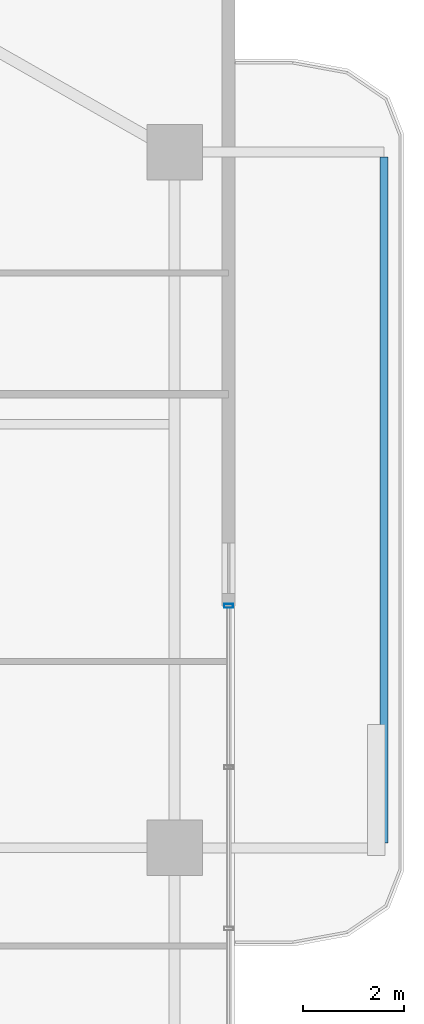
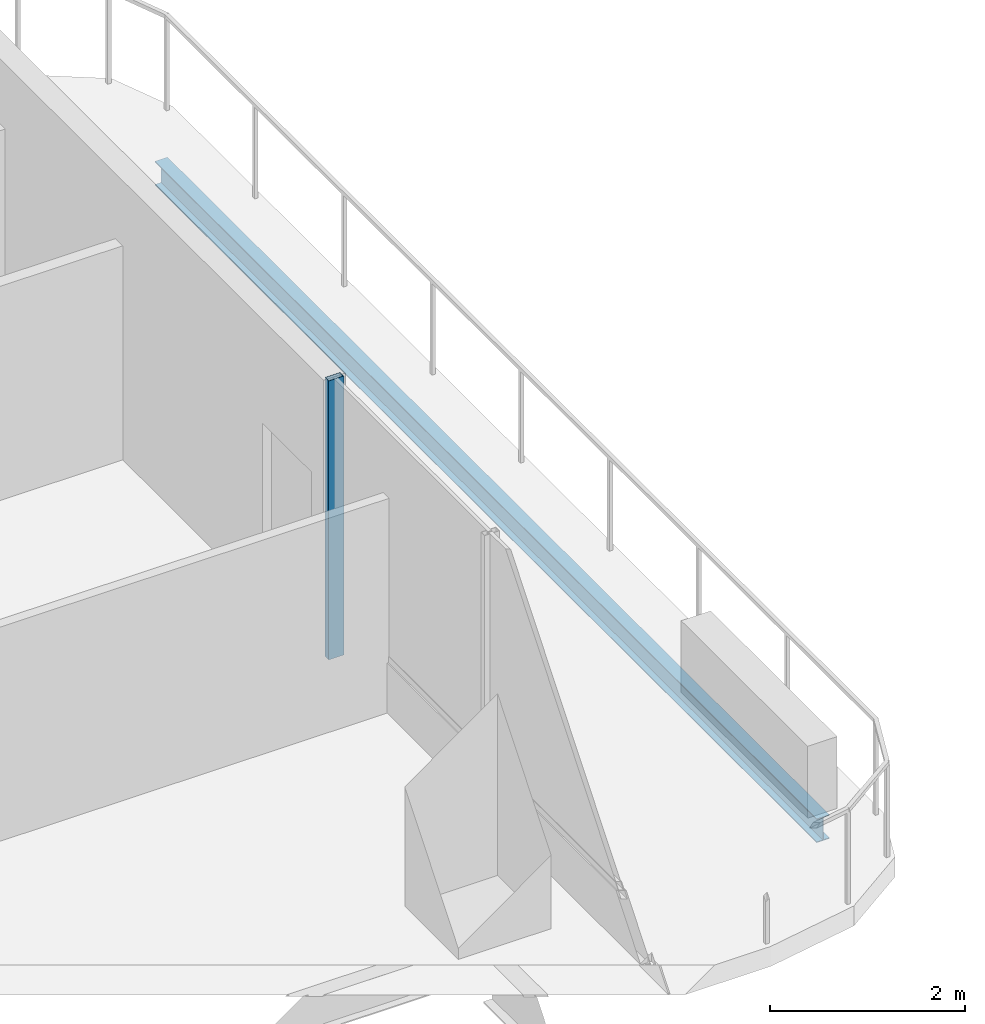
# One storey, part 13 of 24: 1 beam, 1 member, 1 element without a shape of its own.
"""IFC4 building model written with IfcOpenShell, lengths in metres."""

import ifcopenshell
import ifcopenshell.guid

model = None  # the IFC model being written
_history = None  # IfcOwnerHistory: only IFC2X3 demands one
_inside = {}  # id of a spatial element -> (the spatial element, [elements in it])
_under = {}  # id of a project, library or spatial element -> (it, [spatial elements below it])
_declared = {}  # id of a project -> (the project, [libraries it declares])
_typed = {}  # id of a type object -> (the type object, [elements of that type])
_made_of = {}  # id of a material, layer set ... -> (it, [elements and type objects made of it])


def new_model(schema):
    """Start an empty IFC model of exactly this schema.

    Asked for "IFC4X3", IfcOpenShell would pick the latest addendum, in which some entities
    have other attributes; the version numbers below select the first issue.
    IFC2X3 requires an IfcOwnerHistory on every rooted entity: one is made here for all.
    """
    global model, _history
    if schema == "IFC4X3":
        model = ifcopenshell.file(schema_version=(4, 3, 0, 0))
    else:
        model = ifcopenshell.file(schema=schema)
    _inside.clear()
    _under.clear()
    _declared.clear()
    _typed.clear()
    _made_of.clear()
    _history = None
    if model.schema == "IFC2X3":
        org = make("IfcOrganization", Name="unknown")
        user = make(
            "IfcPersonAndOrganization",
            ThePerson=make("IfcPerson", FamilyName="unknown"),
            TheOrganization=org,
        )
        app = make(
            "IfcApplication",
            ApplicationDeveloper=org,
            Version="unknown",
            ApplicationFullName="unknown",
            ApplicationIdentifier="unknown",
        )
        _history = make(
            "IfcOwnerHistory",
            OwningUser=user,
            OwningApplication=app,
            ChangeAction="ADDED",
            CreationDate=0,
        )
    return model


def make(cls, **values):
    """One entity of the class cls with the attributes given. An attribute that is None is left unset."""
    return model.create_entity(
        cls, **{name: value for name, value in values.items() if value is not None}
    )


def rooted(cls, **values):
    """An entity with a GlobalId (a new one), such as an element, a storey or a relation."""
    return make(cls, GlobalId=ifcopenshell.guid.new(), OwnerHistory=_history, **values)


def si_unit(unit_type, name, prefix=None):
    """IfcSIUnit, for example si_unit("LENGTHUNIT", "METRE", prefix="MILLI")."""
    return make("IfcSIUnit", UnitType=unit_type, Prefix=prefix, Name=name)


def assignment(units):
    """IfcUnitAssignment: the units of a project."""
    return None if units is None else make("IfcUnitAssignment", Units=units)


def point(xyz):
    """IfcCartesianPoint."""
    return None if xyz is None else make("IfcCartesianPoint", Coordinates=xyz)


def direction(xyz):
    """IfcDirection."""
    return None if xyz is None else make("IfcDirection", DirectionRatios=xyz)


def frame(location, z_axis=None, x_axis=None):
    """IfcAxis2Placement3D, a coordinate frame: its origin and axes. An axis left out is left unset."""
    return make(
        "IfcAxis2Placement3D",
        Location=point(location),
        Axis=direction(z_axis),
        RefDirection=direction(x_axis),
    )


def frame_2d(location, x_axis=None):
    """IfcAxis2Placement2D, a coordinate frame in the plane: its origin and x axis."""
    return make(
        "IfcAxis2Placement2D", Location=point(location), RefDirection=direction(x_axis)
    )


def origin():
    """The frame at (0, 0, 0) with its axes left unset."""
    return frame((0.0, 0.0, 0.0))


def origin_2d():
    """The frame at (0, 0) in the plane with its x axis left unset."""
    return frame_2d((0.0, 0.0))


def place(relative_to, where):
    """IfcLocalPlacement: puts the frame where relative to a parent placement (None: the world)."""
    return make(
        "IfcLocalPlacement", PlacementRelTo=relative_to, RelativePlacement=where
    )


def context(
    kind, dimensions, precision=None, world=None, true_north=None, identifier=None
):
    """IfcGeometricRepresentationContext, for example the 3D "Model" context."""
    return make(
        "IfcGeometricRepresentationContext",
        ContextIdentifier=identifier,
        ContextType=kind,
        CoordinateSpaceDimension=dimensions,
        Precision=precision,
        WorldCoordinateSystem=world,
        TrueNorth=true_north,
    )


def subcontext(parent, identifier, kind, view, scale=None):
    """IfcGeometricRepresentationSubContext, for example "Body" below "Model"."""
    return make(
        "IfcGeometricRepresentationSubContext",
        ContextIdentifier=identifier,
        ContextType=kind,
        ParentContext=parent,
        TargetScale=scale,
        TargetView=view,
    )


def project(units=None, contexts=None):
    """IfcProject with its units and contexts."""
    return rooted(
        "IfcProject",
        Name="project",
        RepresentationContexts=contexts,
        UnitsInContext=assignment(units),
    )


def spatial(cls, under=None, at=None, **own):
    """A site, building, storey or space (cls), placed at a placement, below another one or the project."""
    s = rooted(cls, ObjectPlacement=at, **own)
    if under is not None:
        _under.setdefault(under.id(), (under, []))[1].append(s)
    return s


def profile(cls, at=None, kind="AREA", **sizes):
    """A parametric profile (cls). Its sizes go by their IFC names, for example OverallWidth=200.0."""
    return make(cls, ProfileType=kind, Position=at, **sizes)


def hollow_rectangle(**sizes):
    """IfcRectangleHollowProfileDef."""
    return profile("IfcRectangleHollowProfileDef", **sizes)


def i_section(**sizes):
    """IfcIShapeProfileDef."""
    return profile("IfcIShapeProfileDef", **sizes)


def extrude(swept, where, along, depth):
    """IfcExtrudedAreaSolid: the profile swept, set in the frame where, extruded along a direction by depth."""
    return make(
        "IfcExtrudedAreaSolid",
        SweptArea=swept,
        Position=where,
        ExtrudedDirection=direction(along),
        Depth=depth,
    )


def shape(context_of_items, identifier, shape_type, items):
    """IfcShapeRepresentation: the items that make up one representation, for example the "Body"."""
    return make(
        "IfcShapeRepresentation",
        ContextOfItems=context_of_items,
        RepresentationIdentifier=identifier,
        RepresentationType=shape_type,
        Items=items,
    )


def material(Name=None, Category=None):
    """IfcMaterial."""
    return make("IfcMaterial", Name=Name, Category=Category)


def layer(
    of_material, thickness, ventilated=None, Name=None, Category=None, Priority=None
):
    """IfcMaterialLayer: one layer of a wall or slab, of a material (None: an air gap)."""
    return make(
        "IfcMaterialLayer",
        Material=of_material,
        LayerThickness=thickness,
        IsVentilated=ventilated,
        Name=Name,
        Category=Category,
        Priority=Priority,
    )


def layer_set(layers, Name=None):
    """IfcMaterialLayerSet."""
    return make("IfcMaterialLayerSet", MaterialLayers=layers, LayerSetName=Name)


def material_profile(
    of_material, cross_section, Name=None, Category=None, Priority=None
):
    """IfcMaterialProfile: a cross section and its material."""
    return make(
        "IfcMaterialProfile",
        Name=Name,
        Material=of_material,
        Profile=cross_section,
        Priority=Priority,
        Category=Category,
    )


def profile_set(profiles, Name=None, composite=None):
    """IfcMaterialProfileSet."""
    return make(
        "IfcMaterialProfileSet",
        Name=Name,
        MaterialProfiles=profiles,
        CompositeProfile=composite,
    )


def made_of(thing, what):
    """Note that an element or type object is made of a material, layer set ...; save() writes the relation."""
    if what is not None:
        _made_of.setdefault(what.id(), (what, []))[1].append(thing)
    return thing


def type_object(cls, material=None, **own):
    """A type object (cls), such as IfcWallType, which elements share."""
    return made_of(rooted(cls, **own), material)


def element(
    cls,
    number,
    at=None,
    inside=None,
    cuts=None,
    type_object=None,
    material=None,
    context=None,
    identifier="Body",
    shape_type=None,
    held_by="IfcProductDefinitionShape",
    body=None,
    shapes=None,
    **own,
):
    """One element of the class cls, such as IfcWall. Its Tag is "e" and its number.

    at: its placement. inside: the storey or other place that contains it. cuts: it is an
    opening in that element (IfcRelVoidsElement). A single representation is given by context,
    identifier, shape_type and body (its items); several are given by shapes. held_by: the class
    of the entity that holds the representations. save() writes the other relations.
    """
    e = rooted(cls, Tag="e%d" % number, ObjectPlacement=at, **own)
    if body is not None:
        shapes = [shape(context, identifier, shape_type, body)]
    if shapes is not None:
        e.Representation = make(held_by, Representations=shapes)
    if inside is not None:
        _inside.setdefault(inside.id(), (inside, []))[1].append(e)
    if cuts is not None:
        rooted(
            "IfcRelVoidsElement", RelatingBuildingElement=cuts, RelatedOpeningElement=e
        )
    if type_object is not None:
        _typed.setdefault(type_object.id(), (type_object, []))[1].append(e)
    return made_of(e, material)


def aggregate(whole, parts):
    """IfcRelAggregates: a whole, such as a stair, and the parts it consists of."""
    return rooted("IfcRelAggregates", RelatingObject=whole, RelatedObjects=parts)


def save(model, path):
    """Write the relations noted so far, then the file.

    IfcRelAggregates (storeys below a building ...), IfcRelContainedInSpatialStructure (elements
    in a storey), IfcRelDefinesByType, IfcRelAssociatesMaterial and IfcRelDeclares: one each for
    every whole, place, type object, material and project.
    """
    for whole, parts in _under.values():
        aggregate(whole, parts)
    for where, things in _inside.values():
        rooted(
            "IfcRelContainedInSpatialStructure",
            RelatedElements=things,
            RelatingStructure=where,
        )
    for kind, things in _typed.values():
        rooted("IfcRelDefinesByType", RelatedObjects=things, RelatingType=kind)
    for what, things in _made_of.values():
        rooted("IfcRelAssociatesMaterial", RelatedObjects=things, RelatingMaterial=what)
    for by, libraries in _declared.values():
        rooted("IfcRelDeclares", RelatingContext=by, RelatedDefinitions=libraries)
    model.write(path)


model = new_model("IFC4")

# Units and contexts
model_context = context("Model", 3, precision=1e-05, world=origin(), true_north=direction((0.0, 1.0)))
body_context = subcontext(model_context, "Body", "Model", "MODEL_VIEW")
ifc_project = project(units=[si_unit("LENGTHUNIT", "METRE"), si_unit("AREAUNIT", "SQUARE_METRE"), si_unit("VOLUMEUNIT", "CUBIC_METRE"), si_unit("PLANEANGLEUNIT", "RADIAN"), si_unit("MASSUNIT", "GRAM", prefix="KILO")], contexts=[model_context])

# Site, building, storey
site_placement = place(None, origin())
site = spatial("IfcSite", under=ifc_project, at=site_placement, CompositionType="ELEMENT")
building_placement = place(site_placement, origin())
building = spatial("IfcBuilding", under=site, at=building_placement, Name="Belovzor Exchange Tower", CompositionType="ELEMENT")
storey_placement = place(building_placement, frame((0.0, 0.0, 237.449951171875)))
storey = spatial("IfcBuildingStorey", under=building, at=storey_placement, Name="L59", CompositionType="ELEMENT", Elevation=237.449951171875)

# Beam
ifc_material_1 = material(Name="Steel S355", Category="steel")
ifc_material_profile_1 = material_profile(ifc_material_1, i_section(OverallWidth=0.14990234375, OverallDepth=0.300048828125, WebThickness=0.007080078125, FlangeThickness=0.0107421875, at=origin_2d()))
ifc_profile_set_1 = profile_set([ifc_material_profile_1], Name="Steel S355")
beam_type = type_object("IfcBeamType", Name="Planted Balcony Fascia Edge Beam IPE 300", PredefinedType="BEAM", material=ifc_profile_set_1)
beam_placement = place(storey_placement, frame((58.7529296875, 28.89990234375, -0.39990234375), z_axis=(0.0, 1.0, 0.0), x_axis=(-1.0, 0.0, 0.0)))
element("IfcBeam", 1, at=beam_placement, inside=storey, type_object=beam_type, Name="BC-300 Planted Balcony Fascia Edge Beam IPE 300", PredefinedType="BEAM", context=body_context, shape_type="SweptSolid", body=[
    extrude(i_section(OverallWidth=0.14990234375, OverallDepth=0.300048828125, WebThickness=0.007080078125, FlangeThickness=0.0107421875, at=origin_2d()), origin(), (0.0, 0.0, 1.0), 13.60009765625),
])

# Curtain wall, member
ifc_material_2 = material(Name="Anodised Aluminium Framing", Category="aluminium")
ifc_layer = layer(ifc_material_2, 0.179931640625)
ifc_layer_set = layer_set([ifc_layer], Name="Anodised Aluminium Framing")
curtain_wall_type = type_object("IfcCurtainWallType", Name="Recessed Loggia Low-Iron Triple-Glazed Curtain Wall", PredefinedType="NOTDEFINED", material=ifc_layer_set)
curtain_wall_placement = place(storey_placement, origin())
curtain_wall = element("IfcCurtainWall", 2, at=curtain_wall_placement, inside=storey, type_object=curtain_wall_type, Name="CW3 Recessed Loggia Low-Iron Triple-Glazed Curtain Wall L59", PredefinedType="NOTDEFINED")
ifc_material_3 = material(Name="Steel S355", Category="steel")
ifc_material_profile_2 = material_profile(ifc_material_3, hollow_rectangle(XDim=0.074951171875, YDim=0.179931640625, WallThickness=0.0048828125, at=origin_2d()))
ifc_profile_set_2 = profile_set([ifc_material_profile_2], Name="Steel S355")
member_type = type_object("IfcMemberType", Name="Thermally Broken Curtain Wall Mullion 180x75", PredefinedType="MULLION", material=ifc_profile_set_2)
member_placement = place(storey_placement, frame((55.669921875, 33.60009765625, 0.0), z_axis=(0.0, 0.0, 1.0), x_axis=(0.0, -1.0, 0.0)))
member = element("IfcMember", 3, at=member_placement, type_object=member_type, Name="CW-M180 Curtain Wall Mullion 1", PredefinedType="MULLION", context=body_context, shape_type="SweptSolid", body=[
    extrude(hollow_rectangle(XDim=0.074951171875, YDim=0.179931640625, WallThickness=0.0048828125, at=origin_2d()), origin(), (0.0, 0.0, 1.0), 3.5),
])
aggregate(curtain_wall, [member])

save(model, "model.ifc")
